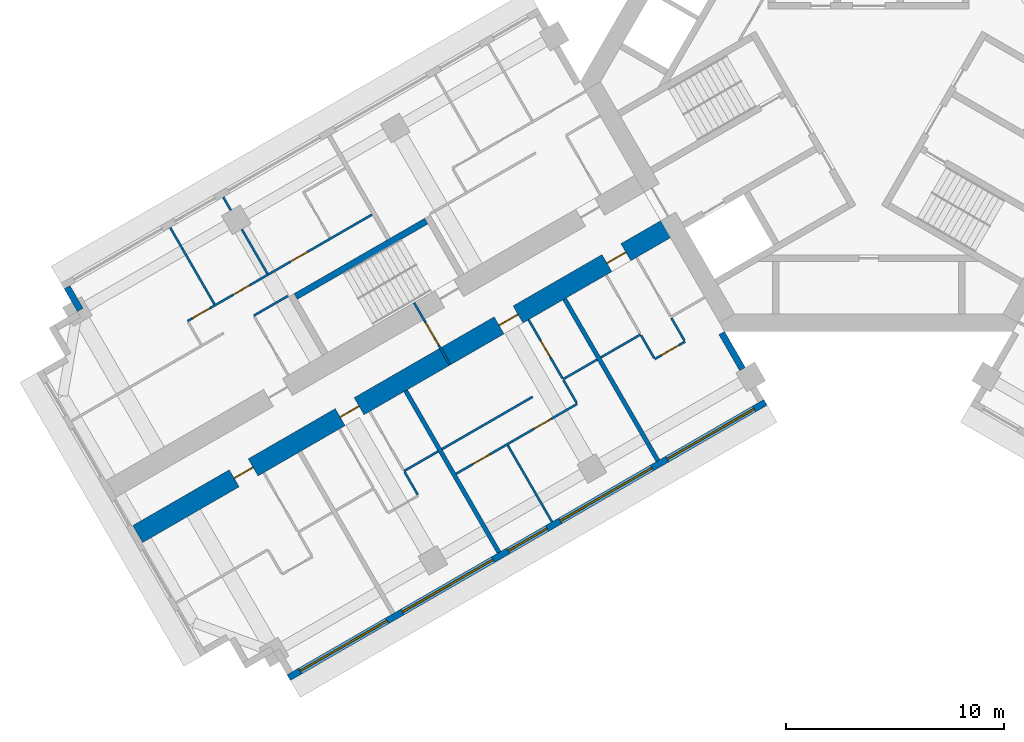
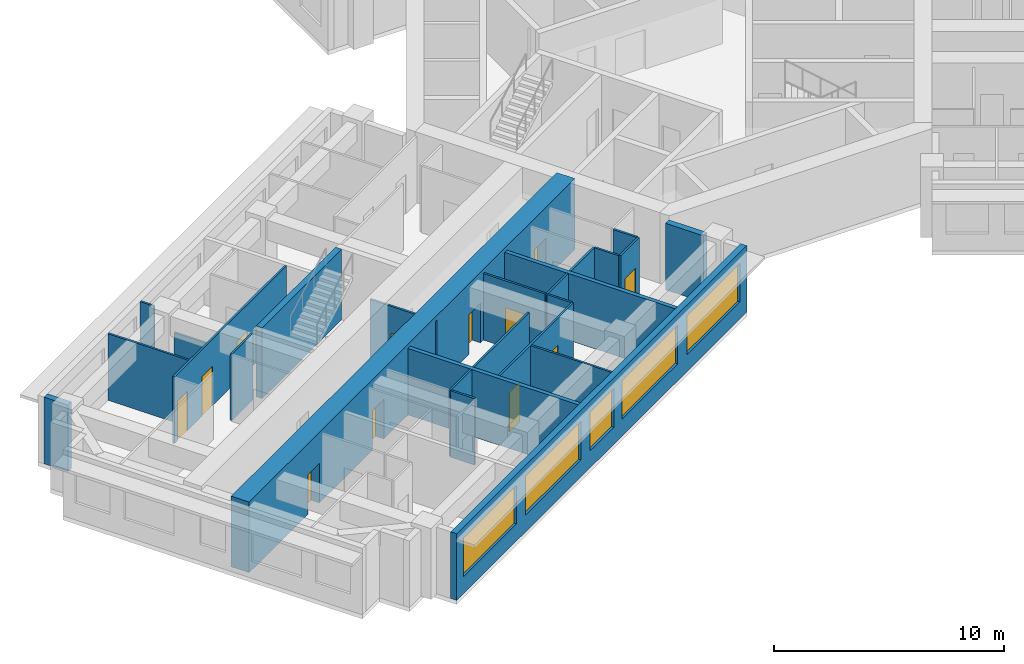
# One storey, part 3 of 12: 25 walls, 12 doors, 5 windows, 17 openings.
"""IFC4 building model written with IfcOpenShell, lengths in metres."""

from ifc_helpers import new_model, si_unit, direction, frame, frame_2d, origin, place, context, subcontext, project, spatial, rectangle, extrude, material, layer, layer_set, type_object, element, fill, save


model = new_model("IFC4")

# Units and contexts
model_context = context("Model", 3, precision=1e-05, world=origin(), true_north=direction((0.0, 1.0)))
body_context = subcontext(model_context, "Body", "Model", "MODEL_VIEW")
ifc_project = project(units=[si_unit("LENGTHUNIT", "METRE"), si_unit("AREAUNIT", "SQUARE_METRE"), si_unit("VOLUMEUNIT", "CUBIC_METRE"), si_unit("PLANEANGLEUNIT", "RADIAN"), si_unit("MASSUNIT", "GRAM", prefix="KILO")], contexts=[model_context])

# Site, building, storey
site_placement = place(None, origin())
site = spatial("IfcSite", under=ifc_project, at=site_placement, CompositionType="ELEMENT")
building_placement = place(site_placement, origin())
building = spatial("IfcBuilding", under=site, at=building_placement, Name="Impinga Residences", CompositionType="ELEMENT")
storey_placement = place(building_placement, frame((0.0, 0.0, 162.25)))
storey = spatial("IfcBuildingStorey", under=building, at=storey_placement, Name="L40", CompositionType="ELEMENT", Elevation=162.25)

# Wall, openings, doors
ifc_material_1 = material(Name="Concrete C60/75", Category="concrete")
ifc_layer_1 = layer(ifc_material_1, 0.89990234375)
ifc_layer_set_1 = layer_set([ifc_layer_1], Name="Concrete C60/75")
wall_type_1 = type_object("IfcWallType", Name="BW2 corridor buttress wall, L24 to L44 900", PredefinedType="SHEAR", material=ifc_layer_set_1)
wall_1_placement = place(storey_placement, frame((-8.95361328125, -6.554931640625, 0.0), z_axis=(0.0, 0.0, 1.0), x_axis=(-0.866023392092, -0.500003484338, 0.0)))
wall_1 = element("IfcWall", 1, at=wall_1_placement, inside=storey, type_object=wall_type_1, Name="Corridor wall BW2 WC L40", PredefinedType="SHEAR", context=body_context, shape_type="SweptSolid", body=[
    extrude(rectangle(XDim=28.300048828125, YDim=0.89990234375, at=frame_2d((14.14990234375, 0.0))), origin(), (0.0, 0.0, 1.0), 3.75),
])
opening_1_placement = place(wall_1_placement, frame((2.5, 0.0, 0.0)))
opening_1 = element("IfcOpeningElement", 2, at=opening_1_placement, cuts=wall_1, Name="Opening D1", PredefinedType="OPENING", context=body_context, shape_type="SweptSolid", body=[
    extrude(rectangle(XDim=1.0, YDim=2.10009765625, at=frame_2d((0.5, 1.050048828125))), frame((0.0, 0.4599609375, 0.0), z_axis=(0.0, -1.0, 0.0), x_axis=(1.0, 0.0, 0.0)), (0.0, 0.0, 1.0), 0.919921875),
])
opening_2_placement = place(wall_1_placement, frame((8.199951171875, 0.0, 0.0)))
opening_2 = element("IfcOpeningElement", 3, at=opening_2_placement, cuts=wall_1, Name="Opening D1", PredefinedType="OPENING", context=body_context, shape_type="SweptSolid", body=[
    extrude(rectangle(XDim=1.0, YDim=2.10009765625, at=frame_2d((0.5, 1.050048828125))), frame((0.0, 0.4599609375, 0.0), z_axis=(0.0, -1.0, 0.0), x_axis=(1.0, 0.0, 0.0)), (0.0, 0.0, 1.0), 0.919921875),
])
opening_3_placement = place(wall_1_placement, frame((16.60009765625, 0.0, 0.0)))
opening_3 = element("IfcOpeningElement", 4, at=opening_3_placement, cuts=wall_1, Name="Opening D1", PredefinedType="OPENING", context=body_context, shape_type="SweptSolid", body=[
    extrude(rectangle(XDim=1.0, YDim=2.10009765625, at=frame_2d((0.5, 1.050048828125))), frame((0.0, 0.4599609375, 0.0), z_axis=(0.0, -1.0, 0.0), x_axis=(1.0, 0.0, 0.0)), (0.0, 0.0, 1.0), 0.919921875),
])
opening_4_placement = place(wall_1_placement, frame((22.199951171875, 0.0, 0.0)))
opening_4 = element("IfcOpeningElement", 5, at=opening_4_placement, cuts=wall_1, Name="Opening D1", PredefinedType="OPENING", context=body_context, shape_type="SweptSolid", body=[
    extrude(rectangle(XDim=1.0, YDim=2.10009765625, at=frame_2d((0.5, 1.050048828125))), frame((0.0, 0.4599609375, 0.0), z_axis=(0.0, -1.0, 0.0), x_axis=(1.0, 0.0, 0.0)), (0.0, 0.0, 1.0), 0.919921875),
])
ifc_material_2 = material(Name="Timber door set", Category="wood")
door_type_1 = type_object("IfcDoorType", Name="D1 apartment entrance door 1000x2100", OperationType="SINGLE_SWING_LEFT", PredefinedType="DOOR", material=ifc_material_2)
door_1_placement = place(opening_1_placement, origin())
door_1 = element("IfcDoor", 6, at=door_1_placement, inside=storey, type_object=door_type_1, Name="Apartment L40-WA1 entrance", OperationType="SINGLE_SWING_LEFT", OverallHeight=2.10009765625, OverallWidth=1.0, PredefinedType="DOOR", context=body_context, shape_type="SweptSolid", body=[
    extrude(rectangle(XDim=1.0, YDim=2.10009765625, at=frame_2d((0.5, 1.050048828125))), frame((0.0, 0.02490234375, 0.0), z_axis=(0.0, -1.0, 0.0), x_axis=(1.0, 0.0, 0.0)), (0.0, 0.0, 1.0), 0.050048828125),
])
fill(opening_1, door_1)
door_2_placement = place(opening_2_placement, origin())
door_2 = element("IfcDoor", 7, at=door_2_placement, inside=storey, type_object=door_type_1, Name="Apartment L40-WA2 entrance", OperationType="SINGLE_SWING_LEFT", OverallHeight=2.10009765625, OverallWidth=1.0, PredefinedType="DOOR", context=body_context, shape_type="SweptSolid", body=[
    extrude(rectangle(XDim=1.0, YDim=2.10009765625, at=frame_2d((0.5, 1.050048828125))), frame((0.0, 0.02490234375, 0.0), z_axis=(0.0, -1.0, 0.0), x_axis=(1.0, 0.0, 0.0)), (0.0, 0.0, 1.0), 0.050048828125),
])
fill(opening_2, door_2)
door_3_placement = place(opening_3_placement, origin())
door_3 = element("IfcDoor", 8, at=door_3_placement, inside=storey, type_object=door_type_1, Name="Apartment L40-WA3 entrance", OperationType="SINGLE_SWING_RIGHT", OverallHeight=2.10009765625, OverallWidth=1.0, PredefinedType="DOOR", context=body_context, shape_type="SweptSolid", body=[
    extrude(rectangle(XDim=1.0, YDim=2.10009765625, at=frame_2d((0.5, 1.050048828125))), frame((0.0, 0.02490234375, 0.0), z_axis=(0.0, -1.0, 0.0), x_axis=(1.0, 0.0, 0.0)), (0.0, 0.0, 1.0), 0.050048828125),
])
fill(opening_3, door_3)
door_4_placement = place(opening_4_placement, origin())
door_4 = element("IfcDoor", 9, at=door_4_placement, inside=storey, type_object=door_type_1, Name="Apartment L40-WA4 entrance", OperationType="SINGLE_SWING_RIGHT", OverallHeight=2.10009765625, OverallWidth=1.0, PredefinedType="DOOR", context=body_context, shape_type="SweptSolid", body=[
    extrude(rectangle(XDim=1.0, YDim=2.10009765625, at=frame_2d((0.5, 1.050048828125))), frame((0.0, 0.02490234375, 0.0), z_axis=(0.0, -1.0, 0.0), x_axis=(1.0, 0.0, 0.0)), (0.0, 0.0, 1.0), 0.050048828125),
])
fill(opening_4, door_4)

# Wall, opening, door
ifc_material_3 = material(Name="Concrete blockwork", Category="masonry")
ifc_layer_2 = layer(ifc_material_3, 0.10009765625)
ifc_layer_set_2 = layer_set([ifc_layer_2], Name="CP1 core room partition, blockwork 100")
wall_type_2 = type_object("IfcWallType", Name="CP1 core room partition, blockwork 100", PredefinedType="PARTITIONING", material=ifc_layer_set_2)
wall_2_placement = place(storey_placement, frame((-19.16455078125, -12.969970703125, 0.0), z_axis=(0.0, 0.0, 1.0), x_axis=(-0.50002983664, 0.866008176907, 0.0)))
wall_2 = element("IfcWall", 10, at=wall_2_placement, inside=storey, type_object=wall_type_2, Name="Core room partition, blockwork L40:W:SCR", PredefinedType="PARTITIONING", context=body_context, shape_type="SweptSolid", body=[
    extrude(rectangle(XDim=3.300048828125, YDim=0.10009765625, at=frame_2d((1.64990234375, 0.0))), origin(), (0.0, 0.0, 1.0), 3.530029296875),
])
opening_5_placement = place(wall_2_placement, frame((1.050048828125, 0.0, 0.0)))
opening_5 = element("IfcOpeningElement", 11, at=opening_5_placement, cuts=wall_2, Name="Opening D3", PredefinedType="OPENING", context=body_context, shape_type="SweptSolid", body=[
    extrude(rectangle(XDim=1.199951171875, YDim=2.10009765625, at=frame_2d((0.60009765625, 1.050048828125))), frame((0.0, 0.06005859375, 0.0), z_axis=(0.0, -1.0, 0.0), x_axis=(1.0, 0.0, 0.0)), (0.0, 0.0, 1.0), 0.1201171875),
])
door_type_2 = type_object("IfcDoorType", Name="D3 room door, leaf and a half 1200x2100", OperationType="DOUBLE_SWING_LEFT", PredefinedType="DOOR", material=ifc_material_2)
door_5_placement = place(opening_5_placement, origin())
door_5 = element("IfcDoor", 12, at=door_5_placement, inside=storey, type_object=door_type_2, Name="Corridor smoke door W", OperationType="DOUBLE_SWING_LEFT", OverallHeight=2.10009765625, OverallWidth=1.199951171875, PredefinedType="DOOR", context=body_context, shape_type="SweptSolid", body=[
    extrude(rectangle(XDim=1.199951171875, YDim=2.10009765625, at=frame_2d((0.60009765625, 1.050048828125))), frame((0.0, 0.02490234375, 0.0), z_axis=(0.0, -1.0, 0.0), x_axis=(1.0, 0.0, 0.0)), (0.0, 0.0, 1.0), 0.050048828125),
])
fill(opening_5, door_5)

# Walls
ifc_material_4 = material(Name="Terracotta rainscreen on blockwork", Category="masonry")
ifc_layer_3 = layer(ifc_material_4, 0.300048828125)
ifc_layer_set_3 = layer_set([ifc_layer_3], Name="EW1 external wall, terracotta rainscreen on blockwork 300")
wall_type_3 = type_object("IfcWallType", Name="EW1 external wall, terracotta rainscreen on blockwork 300", PredefinedType="SOLIDWALL", material=ifc_layer_set_3)
wall_3_placement = place(storey_placement, frame((-36.093994140625, -10.446533203125, 0.0), z_axis=(0.0, 0.0, 1.0), x_axis=(-0.499880961361, 0.866094119867, 0.0)))
element("IfcWall", 13, at=wall_3_placement, inside=storey, type_object=wall_type_3, Name="External wall EW1 L40", PredefinedType="SOLIDWALL", context=body_context, shape_type="SweptSolid", body=[
    extrude(rectangle(XDim=1.199951171875, YDim=0.300048828125, at=frame_2d((0.60009765625, 0.0))), origin(), (0.0, 0.0, 1.0), 3.530029296875),
])
wall_4_placement = place(storey_placement, frame((-6.72998046875, -11.506591796875, 0.0), z_axis=(0.0, 0.0, 1.0), x_axis=(0.500063520245, -0.865988727248, 0.0)))
element("IfcWall", 14, at=wall_4_placement, inside=storey, type_object=wall_type_3, Name="External wall EW1 L40", PredefinedType="SOLIDWALL", context=body_context, shape_type="SweptSolid", body=[
    extrude(rectangle(XDim=1.900146484375, YDim=0.300048828125, at=frame_2d((0.9501953125, 0.0))), origin(), (0.0, 0.0, 1.0), 3.530029296875),
])

# Wall, openings, windows
wall_5_placement = place(storey_placement, frame((-4.72509765625, -14.67919921875, 0.0), z_axis=(0.0, 0.0, 1.0), x_axis=(-0.866026832479, -0.499997525421, 0.0)))
wall_5 = element("IfcWall", 15, at=wall_5_placement, inside=storey, type_object=wall_type_3, Name="External wall EW1 L40", PredefinedType="SOLIDWALL", context=body_context, shape_type="SweptSolid", body=[
    extrude(rectangle(XDim=25.199951171875, YDim=0.300048828125, at=frame_2d((12.60009765625, 0.0))), origin(), (0.0, 0.0, 1.0), 3.530029296875),
])
opening_6_placement = place(wall_5_placement, frame((0.60009765625, 0.0, 0.89990234375)))
opening_6 = element("IfcOpeningElement", 16, at=opening_6_placement, cuts=wall_5, Name="Opening W3", PredefinedType="OPENING", context=body_context, shape_type="SweptSolid", body=[
    extrude(rectangle(XDim=4.60009765625, YDim=2.050048828125, at=frame_2d((2.300048828125, 1.02490234375))), frame((0.0, 0.159912109375, 0.0), z_axis=(0.0, -1.0, 0.0), x_axis=(1.0, 0.0, 0.0)), (0.0, 0.0, 1.0), 0.320068359375),
])
opening_7_placement = place(wall_5_placement, frame((6.0, 0.0, 0.89990234375)))
opening_7 = element("IfcOpeningElement", 17, at=opening_7_placement, cuts=wall_5, Name="Opening W6", PredefinedType="OPENING", context=body_context, shape_type="SweptSolid", body=[
    extrude(rectangle(XDim=4.85009765625, YDim=2.050048828125, at=frame_2d((2.425048828125, 1.02490234375))), frame((0.0, 0.159912109375, 0.0), z_axis=(0.0, -1.0, 0.0), x_axis=(1.0, 0.0, 0.0)), (0.0, 0.0, 1.0), 0.320068359375),
])
opening_8_placement = place(wall_5_placement, frame((11.550048828125, 0.0, 0.89990234375)))
opening_8 = element("IfcOpeningElement", 18, at=opening_8_placement, cuts=wall_5, Name="Opening W14", PredefinedType="OPENING", context=body_context, shape_type="SweptSolid", body=[
    extrude(rectangle(XDim=2.050048828125, YDim=2.050048828125, at=frame_2d((1.02490234375, 1.02490234375))), frame((0.0, 0.159912109375, 0.0), z_axis=(0.0, -1.0, 0.0), x_axis=(1.0, 0.0, 0.0)), (0.0, 0.0, 1.0), 0.320068359375),
])
opening_9_placement = place(wall_5_placement, frame((14.39990234375, 0.0, 0.89990234375)))
opening_9 = element("IfcOpeningElement", 19, at=opening_9_placement, cuts=wall_5, Name="Opening W8", PredefinedType="OPENING", context=body_context, shape_type="SweptSolid", body=[
    extrude(rectangle(XDim=4.800048828125, YDim=2.050048828125, at=frame_2d((2.39990234375, 1.02490234375))), frame((0.0, 0.159912109375, 0.0), z_axis=(0.0, -1.0, 0.0), x_axis=(1.0, 0.0, 0.0)), (0.0, 0.0, 1.0), 0.320068359375),
])
opening_10_placement = place(wall_5_placement, frame((20.0, 0.0, 0.89990234375)))
opening_10 = element("IfcOpeningElement", 20, at=opening_10_placement, cuts=wall_5, Name="Opening W3", PredefinedType="OPENING", context=body_context, shape_type="SweptSolid", body=[
    extrude(rectangle(XDim=4.60009765625, YDim=2.050048828125, at=frame_2d((2.300048828125, 1.02490234375))), frame((0.0, 0.159912109375, 0.0), z_axis=(0.0, -1.0, 0.0), x_axis=(1.0, 0.0, 0.0)), (0.0, 0.0, 1.0), 0.320068359375),
])
ifc_material_5 = material(Name="Aluminium window, clear double glazing", Category="aluminium")
window_type_1 = type_object("IfcWindowType", Name="W14 ribbon window 2050x2050", PartitioningType="SINGLE_PANEL", PredefinedType="WINDOW", material=ifc_material_5)
window_1_placement = place(opening_8_placement, origin())
window_1 = element("IfcWindow", 21, at=window_1_placement, inside=storey, type_object=window_type_1, Name="Window L40", OverallHeight=2.050048828125, OverallWidth=2.050048828125, PartitioningType="SINGLE_PANEL", PredefinedType="WINDOW", context=body_context, shape_type="SweptSolid", body=[
    extrude(rectangle(XDim=2.050048828125, YDim=2.050048828125, at=frame_2d((1.02490234375, 1.02490234375))), frame((0.0, 0.030029296875, 0.0), z_axis=(0.0, -1.0, 0.0), x_axis=(1.0, 0.0, 0.0)), (0.0, 0.0, 1.0), 0.06005859375),
])
fill(opening_8, window_1)
window_type_2 = type_object("IfcWindowType", Name="W3 ribbon window 4600x2050", PartitioningType="SINGLE_PANEL", PredefinedType="WINDOW", material=ifc_material_5)
window_2_placement = place(opening_6_placement, origin())
window_2 = element("IfcWindow", 22, at=window_2_placement, inside=storey, type_object=window_type_2, Name="Window L40", OverallHeight=2.050048828125, OverallWidth=4.60009765625, PartitioningType="SINGLE_PANEL", PredefinedType="WINDOW", context=body_context, shape_type="SweptSolid", body=[
    extrude(rectangle(XDim=4.60009765625, YDim=2.050048828125, at=frame_2d((2.300048828125, 1.02490234375))), frame((0.0, 0.030029296875, 0.0), z_axis=(0.0, -1.0, 0.0), x_axis=(1.0, 0.0, 0.0)), (0.0, 0.0, 1.0), 0.06005859375),
])
fill(opening_6, window_2)
window_3_placement = place(opening_10_placement, origin())
window_3 = element("IfcWindow", 23, at=window_3_placement, inside=storey, type_object=window_type_2, Name="Window L40", OverallHeight=2.050048828125, OverallWidth=4.60009765625, PartitioningType="SINGLE_PANEL", PredefinedType="WINDOW", context=body_context, shape_type="SweptSolid", body=[
    extrude(rectangle(XDim=4.60009765625, YDim=2.050048828125, at=frame_2d((2.300048828125, 1.02490234375))), frame((0.0, 0.030029296875, 0.0), z_axis=(0.0, -1.0, 0.0), x_axis=(1.0, 0.0, 0.0)), (0.0, 0.0, 1.0), 0.06005859375),
])
fill(opening_10, window_3)
window_type_3 = type_object("IfcWindowType", Name="W6 ribbon window 4850x2050", PartitioningType="SINGLE_PANEL", PredefinedType="WINDOW", material=ifc_material_5)
window_4_placement = place(opening_7_placement, origin())
window_4 = element("IfcWindow", 24, at=window_4_placement, inside=storey, type_object=window_type_3, Name="Window L40", OverallHeight=2.050048828125, OverallWidth=4.85009765625, PartitioningType="SINGLE_PANEL", PredefinedType="WINDOW", context=body_context, shape_type="SweptSolid", body=[
    extrude(rectangle(XDim=4.85009765625, YDim=2.050048828125, at=frame_2d((2.425048828125, 1.02490234375))), frame((0.0, 0.030029296875, 0.0), z_axis=(0.0, -1.0, 0.0), x_axis=(1.0, 0.0, 0.0)), (0.0, 0.0, 1.0), 0.06005859375),
])
fill(opening_7, window_4)
window_type_4 = type_object("IfcWindowType", Name="W8 ribbon window 4800x2050", PartitioningType="SINGLE_PANEL", PredefinedType="WINDOW", material=ifc_material_5)
window_5_placement = place(opening_9_placement, origin())
window_5 = element("IfcWindow", 25, at=window_5_placement, inside=storey, type_object=window_type_4, Name="Window L40", OverallHeight=2.050048828125, OverallWidth=4.800048828125, PartitioningType="SINGLE_PANEL", PredefinedType="WINDOW", context=body_context, shape_type="SweptSolid", body=[
    extrude(rectangle(XDim=4.800048828125, YDim=2.050048828125, at=frame_2d((2.39990234375, 1.02490234375))), frame((0.0, 0.030029296875, 0.0), z_axis=(0.0, -1.0, 0.0), x_axis=(1.0, 0.0, 0.0)), (0.0, 0.0, 1.0), 0.06005859375),
])
fill(opening_9, window_5)

# Wall
ifc_material_6 = material(Name="Gypsum board on steel studs", Category="steel")
ifc_layer_4 = layer(ifc_material_6, 0.10009765625)
ifc_layer_set_4 = layer_set([ifc_layer_4], Name="Gypsum board on steel studs")
wall_type_4 = type_object("IfcWallType", Name="IP1 partition 100", PredefinedType="PARTITIONING", material=ifc_layer_set_4)
wall_6_placement = place(storey_placement, frame((-10.444580078125, -11.57275390625, 0.0), z_axis=(0.0, 0.0, 1.0), x_axis=(-0.866009402589, -0.500027713859, 0.0)))
element("IfcWall", 26, at=wall_6_placement, inside=storey, type_object=wall_type_4, Name="Partition L40-WA1:DIV1", PredefinedType="PARTITIONING", context=body_context, shape_type="SweptSolid", body=[
    extrude(rectangle(XDim=2.10009765625, YDim=0.10009765625, at=frame_2d((1.050048828125, 0.0))), origin(), (0.0, 0.0, 1.0), 3.530029296875),
])

# Wall, opening, door
wall_7_placement = place(storey_placement, frame((-8.408935546875, -11.8984375, 0.0), z_axis=(0.0, 0.0, 1.0), x_axis=(-0.865989903783, -0.500061482766, 0.0)))
wall_7 = element("IfcWall", 27, at=wall_7_placement, inside=storey, type_object=wall_type_4, Name="Partition L40-WA1:STRIP", PredefinedType="PARTITIONING", context=body_context, shape_type="SweptSolid", body=[
    extrude(rectangle(XDim=1.599853515625, YDim=0.10009765625, at=frame_2d((0.7998046875, 0.0))), origin(), (0.0, 0.0, 1.0), 3.530029296875),
])
opening_11_placement = place(wall_7_placement, frame((0.35009765625, 0.0, 0.0)))
opening_11 = element("IfcOpeningElement", 28, at=opening_11_placement, cuts=wall_7, Name="Opening D2", PredefinedType="OPENING", context=body_context, shape_type="SweptSolid", body=[
    extrude(rectangle(XDim=0.89990234375, YDim=2.10009765625, at=frame_2d((0.449951171875, 1.050048828125))), frame((0.0, 0.06005859375, 0.0), z_axis=(0.0, -1.0, 0.0), x_axis=(1.0, 0.0, 0.0)), (0.0, 0.0, 1.0), 0.1201171875),
])
door_type_3 = type_object("IfcDoorType", Name="D2 internal door 900x2100", OperationType="SINGLE_SWING_LEFT", PredefinedType="DOOR", material=ifc_material_2)
door_6_placement = place(opening_11_placement, origin())
door_6 = element("IfcDoor", 29, at=door_6_placement, inside=storey, type_object=door_type_3, Name="Apartment L40-WA1 room door", OperationType="SINGLE_SWING_LEFT", OverallHeight=2.10009765625, OverallWidth=0.89990234375, PredefinedType="DOOR", context=body_context, shape_type="SweptSolid", body=[
    extrude(rectangle(XDim=0.89990234375, YDim=2.10009765625, at=frame_2d((0.449951171875, 1.050048828125))), frame((0.0, 0.02490234375, 0.0), z_axis=(0.0, -1.0, 0.0), x_axis=(1.0, 0.0, 0.0)), (0.0, 0.0, 1.0), 0.050048828125),
])
fill(opening_11, door_6)

# Walls
wall_8_placement = place(storey_placement, frame((-9.033935546875, -10.81591796875, 0.0), z_axis=(0.0, 0.0, 1.0), x_axis=(0.500033551112, -0.866006032174, 0.0)))
element("IfcWall", 30, at=wall_8_placement, inside=storey, type_object=wall_type_4, Name="Partition L40-WA1:SE0", PredefinedType="PARTITIONING", context=body_context, shape_type="SweptSolid", body=[
    extrude(rectangle(XDim=1.2001953125, YDim=0.10009765625, at=frame_2d((0.60009765625, 0.0))), origin(), (0.0, 0.0, 1.0), 3.530029296875),
])
wall_9_placement = place(storey_placement, frame((-10.41943359375, -11.615966796875, 0.0), z_axis=(0.0, 0.0, 1.0), x_axis=(0.499880961361, -0.866094119867, 0.0)))
element("IfcWall", 31, at=wall_9_placement, inside=storey, type_object=wall_type_4, Name="Partition L40-WA1:SE1", PredefinedType="PARTITIONING", context=body_context, shape_type="SweptSolid", body=[
    extrude(rectangle(XDim=1.199951171875, YDim=0.10009765625, at=frame_2d((0.60009765625, 0.0))), origin(), (0.0, 0.0, 1.0), 3.530029296875),
])
wall_10_placement = place(storey_placement, frame((-12.436279296875, -12.72265625, 0.0), z_axis=(0.0, 0.0, 1.0), x_axis=(-0.865989075817, -0.500062916607, 0.0)))
element("IfcWall", 32, at=wall_10_placement, inside=storey, type_object=wall_type_4, Name="Partition L40-WA2:DIV0", PredefinedType="PARTITIONING", context=body_context, shape_type="SweptSolid", body=[
    extrude(rectangle(XDim=1.800048828125, YDim=0.10009765625, at=frame_2d((0.89990234375, 0.0))), origin(), (0.0, 0.0, 1.0), 3.530029296875),
])
wall_11_placement = place(storey_placement, frame((-15.380859375, -14.422607421875, 0.0), z_axis=(0.0, 0.0, 1.0), x_axis=(-0.866015339567, -0.500017431331, 0.0)))
element("IfcWall", 33, at=wall_11_placement, inside=storey, type_object=wall_type_4, Name="Partition L40-WA2:DIV1", PredefinedType="PARTITIONING", context=body_context, shape_type="SweptSolid", body=[
    extrude(rectangle(XDim=4.800048828125, YDim=0.10009765625, at=frame_2d((2.39990234375, 0.0))), origin(), (0.0, 0.0, 1.0), 3.530029296875),
])

# Wall, openings, doors
wall_12_placement = place(storey_placement, frame((-13.34521484375, -14.74853515625, 0.0), z_axis=(0.0, 0.0, 1.0), x_axis=(-0.866025499775, -0.499999833739, 0.0)))
wall_12 = element("IfcWall", 34, at=wall_12_placement, inside=storey, type_object=wall_type_4, Name="Partition L40-WA2:STRIP", PredefinedType="PARTITIONING", context=body_context, shape_type="SweptSolid", body=[
    extrude(rectangle(XDim=6.39990234375, YDim=0.10009765625, at=frame_2d((3.199951171875, 0.0))), origin(), (0.0, 0.0, 1.0), 3.530029296875),
])
opening_12_placement = place(wall_12_placement, frame((1.375, 0.0, 0.0)))
opening_12 = element("IfcOpeningElement", 35, at=opening_12_placement, cuts=wall_12, Name="Opening D2", PredefinedType="OPENING", context=body_context, shape_type="SweptSolid", body=[
    extrude(rectangle(XDim=0.89990234375, YDim=2.10009765625, at=frame_2d((0.449951171875, 1.050048828125))), frame((0.0, 0.06005859375, 0.0), z_axis=(0.0, -1.0, 0.0), x_axis=(1.0, 0.0, 0.0)), (0.0, 0.0, 1.0), 0.1201171875),
])
opening_13_placement = place(wall_12_placement, frame((4.625, 0.0, 0.0)))
opening_13 = element("IfcOpeningElement", 36, at=opening_13_placement, cuts=wall_12, Name="Opening D2", PredefinedType="OPENING", context=body_context, shape_type="SweptSolid", body=[
    extrude(rectangle(XDim=0.89990234375, YDim=2.10009765625, at=frame_2d((0.449951171875, 1.050048828125))), frame((0.0, 0.06005859375, 0.0), z_axis=(0.0, -1.0, 0.0), x_axis=(1.0, 0.0, 0.0)), (0.0, 0.0, 1.0), 0.1201171875),
])
door_7_placement = place(opening_12_placement, origin())
door_7 = element("IfcDoor", 37, at=door_7_placement, inside=storey, type_object=door_type_3, Name="Apartment L40-WA2 room door", OperationType="SINGLE_SWING_LEFT", OverallHeight=2.10009765625, OverallWidth=0.89990234375, PredefinedType="DOOR", context=body_context, shape_type="SweptSolid", body=[
    extrude(rectangle(XDim=0.89990234375, YDim=2.10009765625, at=frame_2d((0.449951171875, 1.050048828125))), frame((0.0, 0.02490234375, 0.0), z_axis=(0.0, -1.0, 0.0), x_axis=(1.0, 0.0, 0.0)), (0.0, 0.0, 1.0), 0.050048828125),
])
fill(opening_12, door_7)
door_8_placement = place(opening_13_placement, origin())
door_8 = element("IfcDoor", 38, at=door_8_placement, inside=storey, type_object=door_type_3, Name="Apartment L40-WA2 room door", OperationType="SINGLE_SWING_RIGHT", OverallHeight=2.10009765625, OverallWidth=0.89990234375, PredefinedType="DOOR", context=body_context, shape_type="SweptSolid", body=[
    extrude(rectangle(XDim=0.89990234375, YDim=2.10009765625, at=frame_2d((0.449951171875, 1.050048828125))), frame((0.0, 0.02490234375, 0.0), z_axis=(0.0, -1.0, 0.0), x_axis=(1.0, 0.0, 0.0)), (0.0, 0.0, 1.0), 0.050048828125),
])
fill(opening_13, door_8)

# Wall
wall_13_placement = place(storey_placement, frame((-13.97021484375, -13.666015625, 0.0), z_axis=(0.0, 0.0, 1.0), x_axis=(0.500033551112, -0.866006032174, 0.0)))
element("IfcWall", 39, at=wall_13_placement, inside=storey, type_object=wall_type_4, Name="Partition L40-WA2:SE0", PredefinedType="PARTITIONING", context=body_context, shape_type="SweptSolid", body=[
    extrude(rectangle(XDim=1.2001953125, YDim=0.10009765625, at=frame_2d((0.60009765625, 0.0))), origin(), (0.0, 0.0, 1.0), 3.530029296875),
])

# Wall, opening, door
wall_14_placement = place(storey_placement, frame((-15.5703125, -10.894775390625, 0.0), z_axis=(0.0, 0.0, 1.0), x_axis=(0.500026960575, -0.86600983753, 0.0)))
wall_14 = element("IfcWall", 40, at=wall_14_placement, inside=storey, type_object=wall_type_4, Name="Partition L40-WA2:IB1", PredefinedType="PARTITIONING", context=body_context, shape_type="SweptSolid", body=[
    extrude(rectangle(XDim=3.099853515625, YDim=0.10009765625, at=frame_2d((1.5498046875, 0.0))), origin(), (0.0, 0.0, 1.0), 3.530029296875),
])
opening_14_placement = place(wall_14_placement, frame((1.10009765625, 0.0, 0.0)))
opening_14 = element("IfcOpeningElement", 41, at=opening_14_placement, cuts=wall_14, Name="Opening D2", PredefinedType="OPENING", context=body_context, shape_type="SweptSolid", body=[
    extrude(rectangle(XDim=0.89990234375, YDim=2.10009765625, at=frame_2d((0.449951171875, 1.050048828125))), frame((0.0, 0.06005859375, 0.0), z_axis=(0.0, -1.0, 0.0), x_axis=(1.0, 0.0, 0.0)), (0.0, 0.0, 1.0), 0.1201171875),
])
door_9_placement = place(opening_14_placement, origin())
door_9 = element("IfcDoor", 42, at=door_9_placement, inside=storey, type_object=door_type_3, Name="Apartment L40-WA2 bathroom door", OperationType="SINGLE_SWING_LEFT", OverallHeight=2.10009765625, OverallWidth=0.89990234375, PredefinedType="DOOR", context=body_context, shape_type="SweptSolid", body=[
    extrude(rectangle(XDim=0.89990234375, YDim=2.10009765625, at=frame_2d((0.449951171875, 1.050048828125))), frame((0.0, 0.02490234375, 0.0), z_axis=(0.0, -1.0, 0.0), x_axis=(1.0, 0.0, 0.0)), (0.0, 0.0, 1.0), 0.050048828125),
])
fill(opening_14, door_9)

# Walls
wall_15_placement = place(storey_placement, frame((-16.5244140625, -16.641845703125, 0.0), z_axis=(0.0, 0.0, 1.0), x_axis=(0.499990325971, -0.866030989016, 0.0)))
element("IfcWall", 43, at=wall_15_placement, inside=storey, type_object=wall_type_4, Name="Partition L40-WA2:OB1", PredefinedType="PARTITIONING", context=body_context, shape_type="SweptSolid", body=[
    extrude(rectangle(XDim=4.0498046875, YDim=0.10009765625, at=frame_2d((2.02490234375, 0.0))), origin(), (0.0, 0.0, 1.0), 3.530029296875),
])
wall_16_placement = place(storey_placement, frame((-19.7109375, -16.922607421875, 0.0), z_axis=(0.0, 0.0, 1.0), x_axis=(-0.865989075817, -0.500062916607, 0.0)))
element("IfcWall", 44, at=wall_16_placement, inside=storey, type_object=wall_type_4, Name="Partition L40-WA3:DIV0", PredefinedType="PARTITIONING", context=body_context, shape_type="SweptSolid", body=[
    extrude(rectangle(XDim=1.800048828125, YDim=0.10009765625, at=frame_2d((0.89990234375, 0.0))), origin(), (0.0, 0.0, 1.0), 3.530029296875),
])
wall_17_placement = place(storey_placement, frame((-21.244873046875, -17.865966796875, 0.0), z_axis=(0.0, 0.0, 1.0), x_axis=(0.500033551112, -0.866006032174, 0.0)))
element("IfcWall", 45, at=wall_17_placement, inside=storey, type_object=wall_type_4, Name="Partition L40-WA3:SE0", PredefinedType="PARTITIONING", context=body_context, shape_type="SweptSolid", body=[
    extrude(rectangle(XDim=1.2001953125, YDim=0.10009765625, at=frame_2d((0.60009765625, 0.0))), origin(), (0.0, 0.0, 1.0), 3.530029296875),
])
wall_18_placement = place(storey_placement, frame((-26.58935546875, -9.808837890625, 0.0), z_axis=(0.0, 0.0, 1.0), x_axis=(-0.866047807691, -0.499961193289, 0.0)))
element("IfcWall", 46, at=wall_18_placement, inside=storey, type_object=wall_type_4, Name="Partition L40-WF2:DIV0", PredefinedType="PARTITIONING", context=body_context, shape_type="SweptSolid", body=[
    extrude(rectangle(XDim=1.800048828125, YDim=0.10009765625, at=frame_2d((0.89990234375, 0.0))), origin(), (0.0, 0.0, 1.0), 3.530029296875),
])

# Wall, openings, doors
wall_19_placement = place(storey_placement, frame((-22.736083984375, -6.0830078125, 0.0), z_axis=(0.0, 0.0, 1.0), x_axis=(-0.866027967067, -0.499995560238, 0.0)))
wall_19 = element("IfcWall", 47, at=wall_19_placement, inside=storey, type_object=wall_type_4, Name="Partition L40-WF2:STRIP", PredefinedType="PARTITIONING", context=body_context, shape_type="SweptSolid", body=[
    extrude(rectangle(XDim=9.75, YDim=0.10009765625, at=frame_2d((4.875, 0.0))), origin(), (0.0, 0.0, 1.0), 3.530029296875),
])
opening_15_placement = place(wall_19_placement, frame((3.39990234375, 0.0, 0.0)))
opening_15 = element("IfcOpeningElement", 48, at=opening_15_placement, cuts=wall_19, Name="Opening D2", PredefinedType="OPENING", context=body_context, shape_type="SweptSolid", body=[
    extrude(rectangle(XDim=0.89990234375, YDim=2.10009765625, at=frame_2d((0.449951171875, 1.050048828125))), frame((0.0, 0.06005859375, 0.0), z_axis=(0.0, -1.0, 0.0), x_axis=(1.0, 0.0, 0.0)), (0.0, 0.0, 1.0), 0.1201171875),
])
opening_16_placement = place(wall_19_placement, frame((6.449951171875, 0.0, 0.0)))
opening_16 = element("IfcOpeningElement", 49, at=opening_16_placement, cuts=wall_19, Name="Opening D2", PredefinedType="OPENING", context=body_context, shape_type="SweptSolid", body=[
    extrude(rectangle(XDim=0.89990234375, YDim=2.10009765625, at=frame_2d((0.449951171875, 1.050048828125))), frame((0.0, 0.06005859375, 0.0), z_axis=(0.0, -1.0, 0.0), x_axis=(1.0, 0.0, 0.0)), (0.0, 0.0, 1.0), 0.1201171875),
])
opening_17_placement = place(wall_19_placement, frame((8.60009765625, 0.0, 0.0)))
opening_17 = element("IfcOpeningElement", 50, at=opening_17_placement, cuts=wall_19, Name="Opening D2", PredefinedType="OPENING", context=body_context, shape_type="SweptSolid", body=[
    extrude(rectangle(XDim=0.89990234375, YDim=2.10009765625, at=frame_2d((0.449951171875, 1.050048828125))), frame((0.0, 0.06005859375, 0.0), z_axis=(0.0, -1.0, 0.0), x_axis=(1.0, 0.0, 0.0)), (0.0, 0.0, 1.0), 0.1201171875),
])
door_10_placement = place(opening_15_placement, origin())
door_10 = element("IfcDoor", 51, at=door_10_placement, inside=storey, type_object=door_type_3, Name="Apartment L40-WF2 room door", OperationType="SINGLE_SWING_LEFT", OverallHeight=2.10009765625, OverallWidth=0.89990234375, PredefinedType="DOOR", context=body_context, shape_type="SweptSolid", body=[
    extrude(rectangle(XDim=0.89990234375, YDim=2.10009765625, at=frame_2d((0.449951171875, 1.050048828125))), frame((0.0, 0.02490234375, 0.0), z_axis=(0.0, -1.0, 0.0), x_axis=(1.0, 0.0, 0.0)), (0.0, 0.0, 1.0), 0.050048828125),
])
fill(opening_15, door_10)
door_11_placement = place(opening_16_placement, origin())
door_11 = element("IfcDoor", 52, at=door_11_placement, inside=storey, type_object=door_type_3, Name="Apartment L40-WF2 room door", OperationType="SINGLE_SWING_RIGHT", OverallHeight=2.10009765625, OverallWidth=0.89990234375, PredefinedType="DOOR", context=body_context, shape_type="SweptSolid", body=[
    extrude(rectangle(XDim=0.89990234375, YDim=2.10009765625, at=frame_2d((0.449951171875, 1.050048828125))), frame((0.0, 0.02490234375, 0.0), z_axis=(0.0, -1.0, 0.0), x_axis=(1.0, 0.0, 0.0)), (0.0, 0.0, 1.0), 0.050048828125),
])
fill(opening_16, door_11)
door_12_placement = place(opening_17_placement, origin())
door_12 = element("IfcDoor", 53, at=door_12_placement, inside=storey, type_object=door_type_3, Name="Apartment L40-WF2 room door", OperationType="SINGLE_SWING_RIGHT", OverallHeight=2.10009765625, OverallWidth=0.89990234375, PredefinedType="DOOR", context=body_context, shape_type="SweptSolid", body=[
    extrude(rectangle(XDim=0.89990234375, YDim=2.10009765625, at=frame_2d((0.449951171875, 1.050048828125))), frame((0.0, 0.02490234375, 0.0), z_axis=(0.0, -1.0, 0.0), x_axis=(1.0, 0.0, 0.0)), (0.0, 0.0, 1.0), 0.050048828125),
])
fill(opening_17, door_12)

# Walls
wall_20_placement = place(storey_placement, frame((-27.524169921875, -8.789794921875, 0.0), z_axis=(0.0, 0.0, 1.0), x_axis=(-0.500016218704, 0.866016039709, 0.0)))
element("IfcWall", 54, at=wall_20_placement, inside=storey, type_object=wall_type_4, Name="Partition L40-WF2:OB1", PredefinedType="PARTITIONING", context=body_context, shape_type="SweptSolid", body=[
    extrude(rectangle(XDim=2.35009765625, YDim=0.10009765625, at=frame_2d((1.175048828125, 0.0))), origin(), (0.0, 0.0, 1.0), 2.47998046875),
])
wall_21_placement = place(storey_placement, frame((-29.19921875, -5.888427734375, 0.0), z_axis=(0.0, 0.0, 1.0), x_axis=(-0.500114896893, 0.865959057869, 0.0)))
element("IfcWall", 55, at=wall_21_placement, inside=storey, type_object=wall_type_4, Name="Partition L40-WF2:OB1b", PredefinedType="PARTITIONING", context=body_context, shape_type="SweptSolid", body=[
    extrude(rectangle(XDim=0.699951171875, YDim=0.10009765625, at=frame_2d((0.35009765625, 0.0))), origin(), (0.0, 0.0, 1.0), 3.530029296875),
])
wall_22_placement = place(storey_placement, frame((-29.94921875, -10.189697265625, 0.0), z_axis=(0.0, 0.0, 1.0), x_axis=(-0.499990325971, 0.866030989016, 0.0)))
element("IfcWall", 56, at=wall_22_placement, inside=storey, type_object=wall_type_4, Name="Partition L40-WF2:OB2", PredefinedType="PARTITIONING", context=body_context, shape_type="SweptSolid", body=[
    extrude(rectangle(XDim=4.0498046875, YDim=0.10009765625, at=frame_2d((2.02490234375, 0.0))), origin(), (0.0, 0.0, 1.0), 3.530029296875),
])
ifc_layer_5 = layer(ifc_material_3, 0.199951171875)
ifc_layer_set_5 = layer_set([ifc_layer_5], Name="PW1 party wall between apartments 200")
wall_type_5 = type_object("IfcWallType", Name="PW1 party wall between apartments 200", PredefinedType="SOLIDWALL", material=ifc_layer_set_5)
wall_23_placement = place(storey_placement, frame((-13.9248046875, -9.94482421875, 0.0), z_axis=(0.0, 0.0, 1.0), x_axis=(0.500024008071, -0.866011542275, 0.0)))
element("IfcWall", 57, at=wall_23_placement, inside=storey, type_object=wall_type_5, Name="Party wall between apartments L40-WA1:PARTY", PredefinedType="SOLIDWALL", context=body_context, shape_type="SweptSolid", body=[
    extrude(rectangle(XDim=8.5498046875, YDim=0.199951171875, at=frame_2d((4.27490234375, 0.0))), origin(), (0.0, 0.0, 1.0), 3.530029296875),
])
wall_24_placement = place(storey_placement, frame((-21.199462890625, -14.144775390625, 0.0), z_axis=(0.0, 0.0, 1.0), x_axis=(0.500011643316, -0.866018681408, 0.0)))
element("IfcWall", 58, at=wall_24_placement, inside=storey, type_object=wall_type_5, Name="Party wall between apartments L40-WA2:PARTY", PredefinedType="SOLIDWALL", context=body_context, shape_type="SweptSolid", body=[
    extrude(rectangle(XDim=8.550048828125, YDim=0.199951171875, at=frame_2d((4.27490234375, 0.0))), origin(), (0.0, 0.0, 1.0), 3.530029296875),
])
ifc_layer_6 = layer(ifc_material_1, 0.300048828125)
ifc_layer_set_6 = layer_set([ifc_layer_6], Name="Concrete C60/75")
wall_type_6 = type_object("IfcWallType", Name="SE1 wing stair enclosure wall 300", PredefinedType="SOLIDWALL", material=ifc_layer_set_6)
wall_25_placement = place(storey_placement, frame((-20.254150390625, -6.382080078125, 0.0), z_axis=(0.0, 0.0, 1.0), x_axis=(-0.866020008033, -0.500009345598, 0.0)))
element("IfcWall", 59, at=wall_25_placement, inside=storey, type_object=wall_type_6, Name="Stair enclosure wall SE1 W OUT L40", PredefinedType="SOLIDWALL", context=body_context, shape_type="SweptSolid", body=[
    extrude(rectangle(XDim=6.899658203125, YDim=0.300048828125, at=frame_2d((3.44970703125, 0.0))), origin(), (0.0, 0.0, 1.0), 3.75),
])

save(model, "model.ifc")
